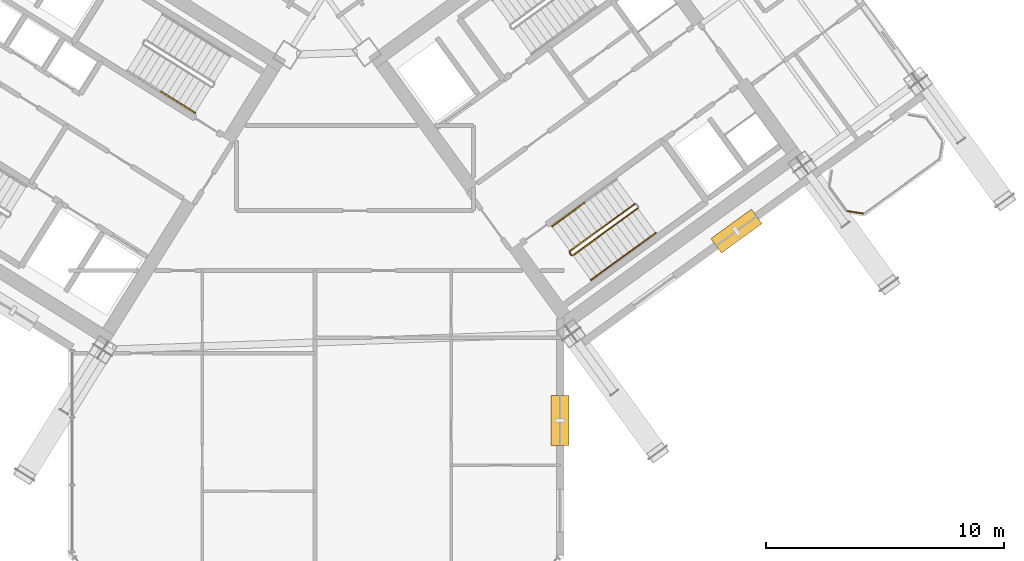
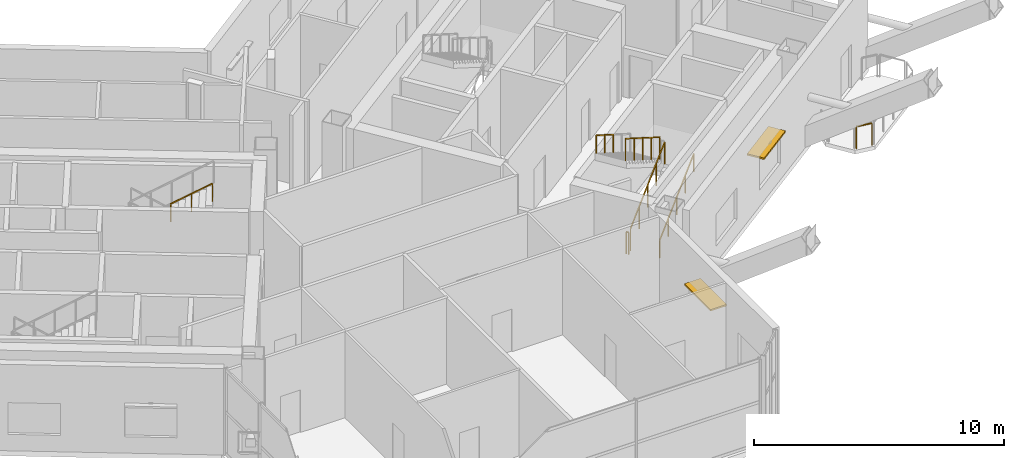
# One storey, part 29 of 32: 8 railings, 2 shading devices.
"""IFC4 building model written with IfcOpenShell, lengths in metres."""

from ifc_helpers import new_model, si_unit, direction, frame, origin, origin_2d, place, context, subcontext, project, spatial, rectangle, extrude, source, transform, mapped, material, layer, layer_set, type_object, element, save


model = new_model("IFC4")

# Units and contexts
model_context = context("Model", 3, precision=1e-05, world=origin(), true_north=direction((0.0, 1.0)))
body_context = subcontext(model_context, "Body", "Model", "MODEL_VIEW")
ifc_project = project(units=[si_unit("LENGTHUNIT", "METRE"), si_unit("AREAUNIT", "SQUARE_METRE"), si_unit("VOLUMEUNIT", "CUBIC_METRE"), si_unit("PLANEANGLEUNIT", "RADIAN"), si_unit("MASSUNIT", "GRAM", prefix="KILO")], contexts=[model_context])

# Site, building, storey
site_placement = place(None, origin())
site = spatial("IfcSite", under=ifc_project, at=site_placement, CompositionType="ELEMENT")
building_placement = place(site_placement, origin())
building = spatial("IfcBuilding", under=site, at=building_placement, Name="Tlacorven Tower", CompositionType="ELEMENT")
storey_placement = place(building_placement, frame((0.0, 0.0, 123.300048828125)))
storey = spatial("IfcBuildingStorey", under=building, at=storey_placement, Name="L31", CompositionType="ELEMENT", Elevation=123.300048828125)

# Railing
ifc_material_1 = material(Name="Aluminium and painted steel balustrade", Category="steel")
railing_type_1 = type_object("IfcRailingType", Name="RL-BAL-1100", PredefinedType="BALUSTRADE", material=ifc_material_1)
shared_shape_1 = source(origin(), body_context, "Body", "SweptSolid", [
    extrude(rectangle(XDim=0.048095703125, YDim=0.048095703125, at=origin_2d()), frame((0.0, 0.0, 1.076171875), z_axis=(-0.987718317463, 0.156245081039, 0.0), x_axis=(-0.156245081039, -0.987718317463, 0.0)), (0.0, 0.0, 1.0), 0.66552734375),
    extrude(rectangle(XDim=0.0419921875, YDim=0.0419921875, at=origin_2d()), origin(), (0.0, 0.0, 1.0), 1.052001953125),
    extrude(rectangle(XDim=0.0419921875, YDim=0.0419921875, at=origin_2d()), frame((-0.657470703125, 0.10400390625, 0.0)), (0.0, 0.0, 1.0), 1.052001953125),
])
railing_1_placement = place(storey_placement, frame((64.950927734375, 17.80810546875, 0.0)))
element("IfcRailing", 1, at=railing_1_placement, inside=storey, type_object=railing_type_1, Name="BAL-L31-E-OUT Guard Railing 1", PredefinedType="BALUSTRADE", context=body_context, shape_type="MappedRepresentation", body=[
    mapped(shared_shape_1, transform((0.0, 0.0, 0.0), scale=1.0)),
])

# Shading devices
ifc_material_2 = material(Name="Anodised bronze aluminium sunshade", Category="aluminium")
ifc_layer = layer(ifc_material_2, 0.080078125)
ifc_layer_set = layer_set([ifc_layer], Name="Anodised bronze aluminium sunshade")
shading_device_type = type_object("IfcShadingDeviceType", Name="SH-SUN-BRZ", PredefinedType="AWNING", material=ifc_layer_set)
shared_shape_2 = source(origin(), body_context, "Body", "SweptSolid", [
    extrude(rectangle(XDim=2.10009765625, YDim=0.75, at=origin_2d()), origin(), (0.0, 0.0, 1.0), 0.080078125),
])
for number, where, z_axis, x_axis, name in (
    (2, (59.6416015625, 17.071044921875, 2.369873046875), (0.0, 0.0, 1.0), (-0.809016829126, -0.587785479738, 0.0), "L31 Solar Brise-Soleil Sunshade L31-06.1"),
    (3, (52.239990234375, 9.1171875, 2.369873046875), (0.0, 0.0, 1.0), (0.0, -1.0, 0.0), "L31 Solar Brise-Soleil Sunshade L31-07.1"),
):
    element("IfcShadingDevice", number, at=place(storey_placement, frame(where, z_axis=z_axis, x_axis=x_axis)), inside=storey, type_object=shading_device_type, Name=name, PredefinedType="AWNING", context=body_context, shape_type="MappedRepresentation", body=[
        mapped(shared_shape_2, transform((0.0, 0.0, 0.0), scale=1.0)),
    ])

# Railings
railing_type_2 = type_object("IfcRailingType", Name="RL-HND-0900", PredefinedType="HANDRAIL", material=ifc_material_1)
shared_shape_3 = source(origin(), body_context, "Body", "SweptSolid", [
    extrude(rectangle(XDim=0.048095703125, YDim=0.048095703125, at=origin_2d()), frame((0.0, 0.0, 0.8759765625), z_axis=(0.721340775611, -0.4507761838, 0.52580254617), x_axis=(0.529946692594, 0.848030956397, 0.0)), (0.0, 0.0, 1.0), 1.97509765625),
    extrude(rectangle(XDim=0.0419921875, YDim=0.0419921875, at=origin_2d()), origin(), (0.0, 0.0, 1.0), 0.851806640625),
    extrude(rectangle(XDim=0.0419921875, YDim=0.0419921875, at=origin_2d()), frame((0.71240234375, -0.4453125, 0.519287109375)), (0.0, 0.0, 1.0), 0.851806640625),
    extrude(rectangle(XDim=0.0419921875, YDim=0.0419921875, at=origin_2d()), frame((1.4248046875, -0.890380859375, 1.03857421875)), (0.0, 0.0, 1.0), 0.851806640625),
])
railing_2_placement = place(storey_placement, frame((35.49267578125, 22.927734375, 3.46142578125)))
element("IfcRailing", 4, at=railing_2_placement, inside=storey, type_object=railing_type_2, Name="L31 ST-W2 stair handrail 4", PredefinedType="HANDRAIL", context=body_context, shape_type="MappedRepresentation", body=[
    mapped(shared_shape_3, transform((0.0, 0.0, 0.0), scale=1.0)),
])
railing_type_3 = type_object("IfcRailingType", Name="RL-GRD-1100", PredefinedType="GUARDRAIL", material=ifc_material_1)
shared_shape_4 = source(origin(), body_context, "Body", "SweptSolid", [
    extrude(rectangle(XDim=0.048095703125, YDim=0.048095703125, at=origin_2d()), frame((0.0, 0.0, 1.076171875), z_axis=(-0.587567097037, 0.809175448515, 0.0), x_axis=(-0.809175448515, -0.587567097037, 0.0)), (0.0, 0.0, 1.0), 0.1201171875),
    extrude(rectangle(XDim=0.0419921875, YDim=0.0419921875, at=origin_2d()), origin(), (0.0, 0.0, 1.0), 1.052001953125),
    extrude(rectangle(XDim=0.0419921875, YDim=0.0419921875, at=origin_2d()), frame((-0.070556640625, 0.09716796875, 0.0)), (0.0, 0.0, 1.0), 1.052001953125),
])
railing_3_placement = place(storey_placement, frame((52.71142578125, 16.065673828125, 0.0)))
element("IfcRailing", 5, at=railing_3_placement, inside=storey, type_object=railing_type_3, Name="L31 ST-E2 stair guard 4", PredefinedType="GUARDRAIL", context=body_context, shape_type="MappedRepresentation", body=[
    mapped(shared_shape_4, transform((0.0, 0.0, 0.0), scale=1.0)),
])
shared_shape_5 = source(origin(), body_context, "Body", "SweptSolid", [
    extrude(rectangle(XDim=0.048095703125, YDim=0.048095703125, at=origin_2d()), frame((0.0, 0.0, 1.076171875), z_axis=(0.688166980386, 0.499962520599, 0.525798141023), x_axis=(-0.587769819143, 0.809028206989, 0.0)), (0.0, 0.0, 1.0), 3.949951171875),
    extrude(rectangle(XDim=0.0419921875, YDim=0.0419921875, at=origin_2d()), origin(), (0.0, 0.0, 1.0), 1.052001953125),
    extrude(rectangle(XDim=0.0419921875, YDim=0.0419921875, at=origin_2d()), frame((0.6796875, 0.49365234375, 0.519287109375)), (0.0, 0.0, 1.0), 1.052001953125),
    extrude(rectangle(XDim=0.0419921875, YDim=0.0419921875, at=origin_2d()), frame((1.359130859375, 0.9873046875, 1.03857421875)), (0.0, 0.0, 1.0), 1.052001953125),
    extrude(rectangle(XDim=0.0419921875, YDim=0.0419921875, at=origin_2d()), frame((2.03857421875, 1.481201171875, 1.5576171875)), (0.0, 0.0, 1.0), 1.052001953125),
    extrude(rectangle(XDim=0.0419921875, YDim=0.0419921875, at=origin_2d()), frame((2.71826171875, 1.974853515625, 2.076904296875)), (0.0, 0.0, 1.0), 1.052001953125),
])
railing_4_placement = place(storey_placement, frame((52.78125, 16.0546875, 0.173095703125)))
element("IfcRailing", 6, at=railing_4_placement, inside=storey, type_object=railing_type_3, Name="L31 ST-E2 stair guard 1", PredefinedType="GUARDRAIL", context=body_context, shape_type="MappedRepresentation", body=[
    mapped(shared_shape_5, transform((0.0, 0.0, 0.0), scale=1.0)),
])
shared_shape_6 = source(origin(), body_context, "Body", "SweptSolid", [
    extrude(rectangle(XDim=0.048095703125, YDim=0.048095703125, at=origin_2d()), frame((0.0, 0.0, 1.076171875), z_axis=(-0.688166980386, -0.499962520599, 0.525798141023), x_axis=(0.587769819143, -0.809028206989, 0.0)), (0.0, 0.0, 1.0), 3.949951171875),
    extrude(rectangle(XDim=0.0419921875, YDim=0.0419921875, at=origin_2d()), origin(), (0.0, 0.0, 1.0), 1.052001953125),
    extrude(rectangle(XDim=0.0419921875, YDim=0.0419921875, at=origin_2d()), frame((-0.6796875, -0.49365234375, 0.519287109375)), (0.0, 0.0, 1.0), 1.052001953125),
    extrude(rectangle(XDim=0.0419921875, YDim=0.0419921875, at=origin_2d()), frame((-1.359130859375, -0.9873046875, 1.03857421875)), (0.0, 0.0, 1.0), 1.052001953125),
    extrude(rectangle(XDim=0.0419921875, YDim=0.0419921875, at=origin_2d()), frame((-2.03857421875, -1.481201171875, 1.5576171875)), (0.0, 0.0, 1.0), 1.052001953125),
    extrude(rectangle(XDim=0.0419921875, YDim=0.0419921875, at=origin_2d()), frame((-2.71826171875, -1.974853515625, 2.076904296875)), (0.0, 0.0, 1.0), 1.052001953125),
])
railing_5_placement = place(storey_placement, frame((55.3701171875, 18.20751953125, 2.423095703125)))
element("IfcRailing", 7, at=railing_5_placement, inside=storey, type_object=railing_type_3, Name="L31 ST-E2 stair guard 3", PredefinedType="GUARDRAIL", context=body_context, shape_type="MappedRepresentation", body=[
    mapped(shared_shape_6, transform((0.0, 0.0, 0.0), scale=1.0)),
])
shared_shape_7 = source(origin(), body_context, "Body", "SweptSolid", [
    extrude(rectangle(XDim=0.048095703125, YDim=0.048095703125, at=origin_2d()), frame((0.0, 0.0, 0.8759765625), z_axis=(0.688123352181, 0.499992627909, 0.525826610414), x_axis=(-0.587817375869, 0.808993654256, 0.0)), (0.0, 0.0, 1.0), 1.97509765625),
    extrude(rectangle(XDim=0.0419921875, YDim=0.0419921875, at=origin_2d()), origin(), (0.0, 0.0, 1.0), 0.851806640625),
    extrude(rectangle(XDim=0.0419921875, YDim=0.0419921875, at=origin_2d()), frame((0.6796875, 0.49365234375, 0.519287109375)), (0.0, 0.0, 1.0), 0.851806640625),
    extrude(rectangle(XDim=0.0419921875, YDim=0.0419921875, at=origin_2d()), frame((1.359130859375, 0.987548828125, 1.03857421875)), (0.0, 0.0, 1.0), 0.851806640625),
])
railing_6_placement = place(storey_placement, frame((54.892822265625, 16.006591796875, 1.21142578125)))
element("IfcRailing", 8, at=railing_6_placement, inside=storey, type_object=railing_type_2, Name="L31 ST-E2 stair handrail 2", PredefinedType="HANDRAIL", context=body_context, shape_type="MappedRepresentation", body=[
    mapped(shared_shape_7, transform((0.0, 0.0, 0.0), scale=1.0)),
])
shared_shape_8 = source(origin(), body_context, "Body", "SweptSolid", [
    extrude(rectangle(XDim=0.048095703125, YDim=0.048095703125, at=origin_2d()), frame((0.0, 0.0, 0.8759765625), z_axis=(-0.688123352181, -0.499992627909, 0.525826610414), x_axis=(0.587817375869, -0.808993654256, 0.0)), (0.0, 0.0, 1.0), 1.97509765625),
    extrude(rectangle(XDim=0.0419921875, YDim=0.0419921875, at=origin_2d()), origin(), (0.0, 0.0, 1.0), 0.851806640625),
    extrude(rectangle(XDim=0.0419921875, YDim=0.0419921875, at=origin_2d()), frame((-0.6796875, -0.49365234375, 0.519287109375)), (0.0, 0.0, 1.0), 0.851806640625),
    extrude(rectangle(XDim=0.0419921875, YDim=0.0419921875, at=origin_2d()), frame((-1.359130859375, -0.987548828125, 1.03857421875)), (0.0, 0.0, 1.0), 0.851806640625),
])
railing_7_placement = place(storey_placement, frame((53.2587890625, 18.255615234375, 3.46142578125)))
element("IfcRailing", 9, at=railing_7_placement, inside=storey, type_object=railing_type_2, Name="L31 ST-E2 stair handrail 4", PredefinedType="HANDRAIL", context=body_context, shape_type="MappedRepresentation", body=[
    mapped(shared_shape_8, transform((0.0, 0.0, 0.0), scale=1.0)),
])
shared_shape_9 = source(origin(), body_context, "Body", "SweptSolid", [
    extrude(rectangle(XDim=0.048095703125, YDim=0.048095703125, at=origin_2d()), frame((0.0, 0.0, 0.8759765625), z_axis=(0.688168076653, 0.500025124854, 0.525737170829), x_axis=(-0.587817375869, 0.808993654256, 0.0)), (0.0, 0.0, 1.0), 1.97509765625),
    extrude(rectangle(XDim=0.0419921875, YDim=0.0419921875, at=origin_2d()), origin(), (0.0, 0.0, 1.0), 0.851806640625),
    extrude(rectangle(XDim=0.0419921875, YDim=0.0419921875, at=origin_2d()), frame((0.6796875, 0.49365234375, 0.51904296875)), (0.0, 0.0, 1.0), 0.851806640625),
    extrude(rectangle(XDim=0.0419921875, YDim=0.0419921875, at=origin_2d()), frame((1.359130859375, 0.987548828125, 1.038330078125)), (0.0, 0.0, 1.0), 0.851806640625),
])
railing_8_placement = place(storey_placement, frame((53.53369140625, 15.01904296875, 0.173095703125)))
element("IfcRailing", 10, at=railing_8_placement, inside=storey, type_object=railing_type_2, Name="L31 ST-E2 stair handrail 1", PredefinedType="HANDRAIL", context=body_context, shape_type="MappedRepresentation", body=[
    mapped(shared_shape_9, transform((0.0, 0.0, 0.0), scale=1.0)),
])

save(model, "model.ifc")
